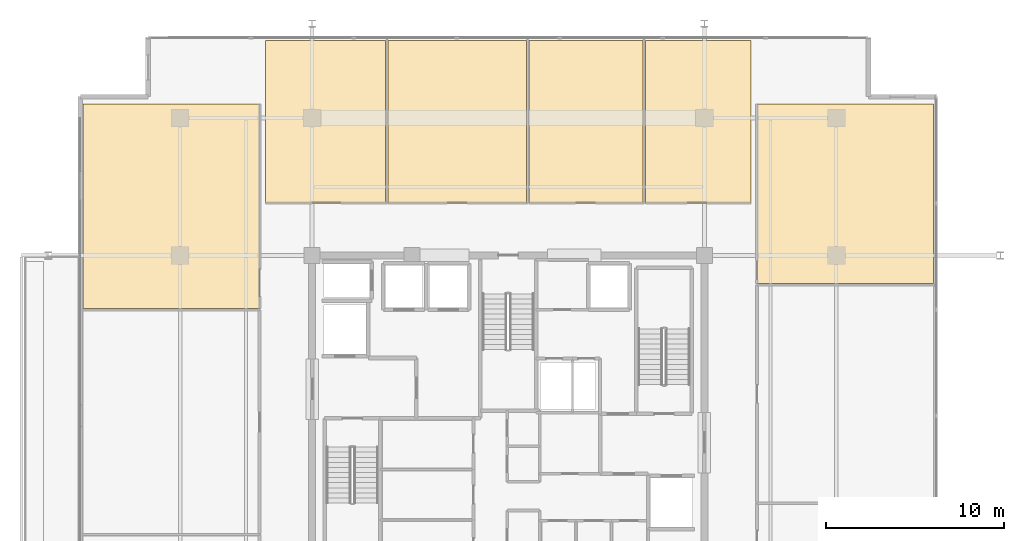
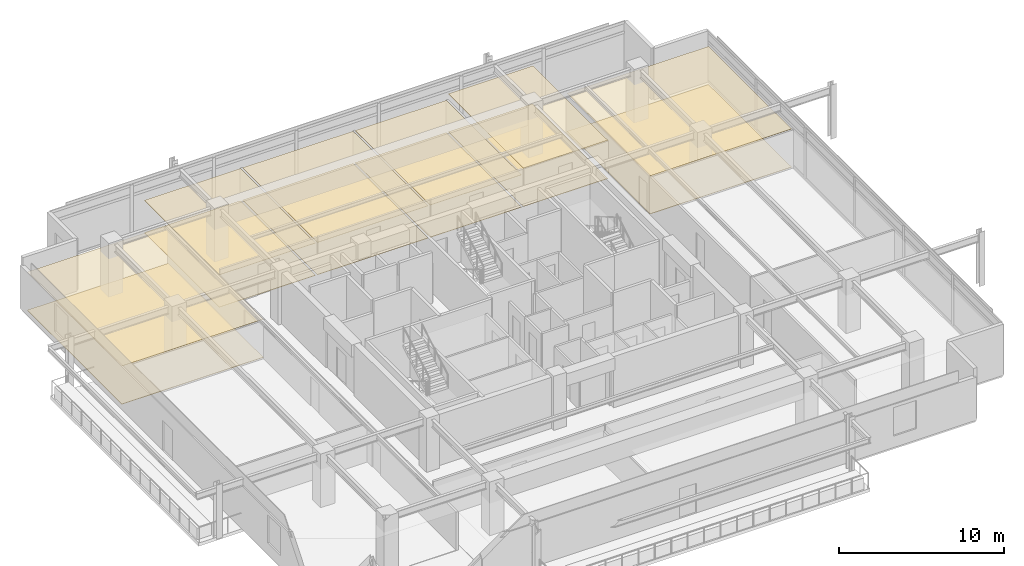
# One storey, part 20 of 20: 12 coverings.
"""IFC4 building model written with IfcOpenShell, lengths in metres."""

from ifc_helpers import new_model, si_unit, direction, frame, origin, place, context, subcontext, project, spatial, polyline, outline, extrude, material, layer, layer_set, type_object, element, save


model = new_model("IFC4")

# Units and contexts
model_context = context("Model", 3, precision=1e-05, world=origin(), true_north=direction((0.0, 1.0)))
body_context = subcontext(model_context, "Body", "Model", "MODEL_VIEW")
ifc_project = project(units=[si_unit("LENGTHUNIT", "METRE"), si_unit("AREAUNIT", "SQUARE_METRE"), si_unit("VOLUMEUNIT", "CUBIC_METRE"), si_unit("PLANEANGLEUNIT", "RADIAN"), si_unit("MASSUNIT", "GRAM", prefix="KILO")], contexts=[model_context])

# Site, building, storey
site_placement = place(None, origin())
site = spatial("IfcSite", under=ifc_project, at=site_placement, CompositionType="ELEMENT")
building_placement = place(site_placement, origin())
building = spatial("IfcBuilding", under=site, at=building_placement, Name="Kovane Verandah Tower", CompositionType="ELEMENT")
storey_placement = place(building_placement, frame((0.0, 0.0, 306.800048828125)))
storey = spatial("IfcBuildingStorey", under=building, at=storey_placement, Name="L71", CompositionType="ELEMENT", Elevation=306.800048828125)

# Coverings
ifc_material_1 = material(Name="Perforated Acoustic Mineral-Fibre Ceiling Tile", Category="gypsum")
ifc_layer_1 = layer(ifc_material_1, 0.02490234375)
ifc_layer_set_1 = layer_set([ifc_layer_1], Name="Perforated Acoustic Mineral-Fibre Ceiling Tile")
covering_type_1 = type_object("IfcCoveringType", Name="CV-CEIL-25", PredefinedType="CEILING", material=ifc_layer_set_1)
covering_1_placement = place(storey_placement, frame((0.0, 0.0, 2.389892578125)))
element("IfcCovering", 1, at=covering_1_placement, inside=storey, type_object=covering_type_1, Name="L71 Client Boardroom N1 Acoustic Ceiling", PredefinedType="CEILING", context=body_context, shape_type="SweptSolid", body=[
    extrude(outline(polyline([(26.39990234375, 39.449951171875), (33.1298828125, 39.449951171875), (33.1298828125, 48.550048828125), (26.39990234375, 48.550048828125), (26.39990234375, 39.449951171875)])), origin(), (0.0, 0.0, 1.0), 0.025146484375),
])
covering_2_placement = place(storey_placement, frame((0.0, 0.0, 2.389892578125)))
element("IfcCovering", 2, at=covering_2_placement, inside=storey, type_object=covering_type_1, Name="L71 Meeting Room N2 Acoustic Ceiling", PredefinedType="CEILING", context=body_context, shape_type="SweptSolid", body=[
    extrude(outline(polyline([(33.27001953125, 39.449951171875), (41.01806640625, 39.449951171875), (41.01806640625, 48.550048828125), (33.27001953125, 48.550048828125), (33.27001953125, 39.449951171875)])), origin(), (0.0, 0.0, 1.0), 0.025146484375),
])
covering_3_placement = place(storey_placement, frame((0.0, 0.0, 2.389892578125)))
element("IfcCovering", 3, at=covering_3_placement, inside=storey, type_object=covering_type_1, Name="L71 Focus Studio N3 Acoustic Ceiling", PredefinedType="CEILING", context=body_context, shape_type="SweptSolid", body=[
    extrude(outline(polyline([(41.157958984375, 39.449951171875), (47.5458984375, 39.449951171875), (47.5458984375, 48.550048828125), (41.157958984375, 48.550048828125), (41.157958984375, 39.449951171875)])), origin(), (0.0, 0.0, 1.0), 0.025146484375),
])
covering_4_placement = place(storey_placement, frame((0.0, 0.0, 2.824951171875)))
element("IfcCovering", 4, at=covering_4_placement, inside=storey, type_object=covering_type_1, Name="L71 Breakout Pantry N4 Acoustic Ceiling", PredefinedType="CEILING", context=body_context, shape_type="SweptSolid", body=[
    extrude(outline(polyline([(47.68603515625, 39.449951171875), (53.60009765625, 39.449951171875), (53.60009765625, 48.550048828125), (47.68603515625, 48.550048828125), (47.68603515625, 39.449951171875)])), origin(), (0.0, 0.0, 1.0), 0.02490234375),
])
covering_5_placement = place(storey_placement, frame((0.0, 0.0, 2.824951171875)))
element("IfcCovering", 5, at=covering_5_placement, inside=storey, type_object=covering_type_1, Name="L71 Client Boardroom W3 Acoustic Ceiling", PredefinedType="CEILING", context=body_context, shape_type="SweptSolid", body=[
    extrude(outline(polyline([(16.14990234375, 33.52001953125), (26.050048828125, 33.52001953125), (26.050048828125, 45.0), (16.14990234375, 45.0), (16.14990234375, 33.52001953125)])), origin(), (0.0, 0.0, 1.0), 0.02490234375),
])
covering_6_placement = place(storey_placement, frame((0.0, 0.0, 2.824951171875)))
element("IfcCovering", 6, at=covering_6_placement, inside=storey, type_object=covering_type_1, Name="L71 Breakout Pantry E3 Acoustic Ceiling", PredefinedType="CEILING", context=body_context, shape_type="SweptSolid", body=[
    extrude(outline(polyline([(53.949951171875, 34.919921875), (63.85009765625, 34.919921875), (63.85009765625, 45.0), (53.949951171875, 45.0), (53.949951171875, 34.919921875)])), origin(), (0.0, 0.0, 1.0), 0.02490234375),
])
ifc_material_2 = material(Name="Polished Terrazzo and Raised-Access Carpet Tile Finish", Category="concrete")
ifc_layer_2 = layer(ifc_material_2, 0.030029296875)
ifc_layer_set_2 = layer_set([ifc_layer_2], Name="Polished Terrazzo and Raised-Access Carpet Tile Finish")
covering_type_2 = type_object("IfcCoveringType", Name="CV-FLOR-30", PredefinedType="FLOORING", material=ifc_layer_set_2)
covering_7_placement = place(storey_placement, origin())
element("IfcCovering", 7, at=covering_7_placement, inside=storey, type_object=covering_type_2, Name="L71 Client Boardroom N1 Floor Finish", PredefinedType="FLOORING", context=body_context, shape_type="SweptSolid", body=[
    extrude(outline(polyline([(26.39990234375, 39.449951171875), (33.1298828125, 39.449951171875), (33.1298828125, 48.550048828125), (26.39990234375, 48.550048828125), (26.39990234375, 39.449951171875)])), origin(), (0.0, 0.0, 1.0), 0.030029296875),
])
covering_8_placement = place(storey_placement, origin())
element("IfcCovering", 8, at=covering_8_placement, inside=storey, type_object=covering_type_2, Name="L71 Meeting Room N2 Floor Finish", PredefinedType="FLOORING", context=body_context, shape_type="SweptSolid", body=[
    extrude(outline(polyline([(33.27001953125, 39.449951171875), (41.01806640625, 39.449951171875), (41.01806640625, 48.550048828125), (33.27001953125, 48.550048828125), (33.27001953125, 39.449951171875)])), origin(), (0.0, 0.0, 1.0), 0.030029296875),
])
covering_9_placement = place(storey_placement, origin())
element("IfcCovering", 9, at=covering_9_placement, inside=storey, type_object=covering_type_2, Name="L71 Focus Studio N3 Floor Finish", PredefinedType="FLOORING", context=body_context, shape_type="SweptSolid", body=[
    extrude(outline(polyline([(41.157958984375, 39.449951171875), (47.5458984375, 39.449951171875), (47.5458984375, 48.550048828125), (41.157958984375, 48.550048828125), (41.157958984375, 39.449951171875)])), origin(), (0.0, 0.0, 1.0), 0.030029296875),
])
covering_10_placement = place(storey_placement, origin())
element("IfcCovering", 10, at=covering_10_placement, inside=storey, type_object=covering_type_2, Name="L71 Breakout Pantry N4 Floor Finish", PredefinedType="FLOORING", context=body_context, shape_type="SweptSolid", body=[
    extrude(outline(polyline([(47.68603515625, 39.449951171875), (53.60009765625, 39.449951171875), (53.60009765625, 48.550048828125), (47.68603515625, 48.550048828125), (47.68603515625, 39.449951171875)])), origin(), (0.0, 0.0, 1.0), 0.030029296875),
])
covering_11_placement = place(storey_placement, origin())
element("IfcCovering", 11, at=covering_11_placement, inside=storey, type_object=covering_type_2, Name="L71 Client Boardroom W3 Floor Finish", PredefinedType="FLOORING", context=body_context, shape_type="SweptSolid", body=[
    extrude(outline(polyline([(16.14990234375, 33.52001953125), (26.050048828125, 33.52001953125), (26.050048828125, 45.0), (16.14990234375, 45.0), (16.14990234375, 33.52001953125)])), origin(), (0.0, 0.0, 1.0), 0.030029296875),
])
covering_12_placement = place(storey_placement, origin())
element("IfcCovering", 12, at=covering_12_placement, inside=storey, type_object=covering_type_2, Name="L71 Breakout Pantry E3 Floor Finish", PredefinedType="FLOORING", context=body_context, shape_type="SweptSolid", body=[
    extrude(outline(polyline([(53.949951171875, 34.919921875), (63.85009765625, 34.919921875), (63.85009765625, 45.0), (53.949951171875, 45.0), (53.949951171875, 34.919921875)])), origin(), (0.0, 0.0, 1.0), 0.030029296875),
])

save(model, "model.ifc")
